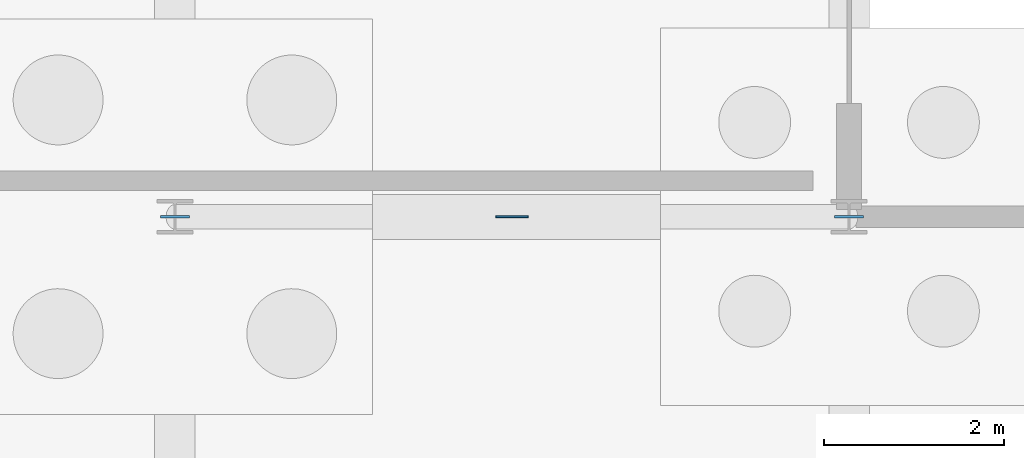
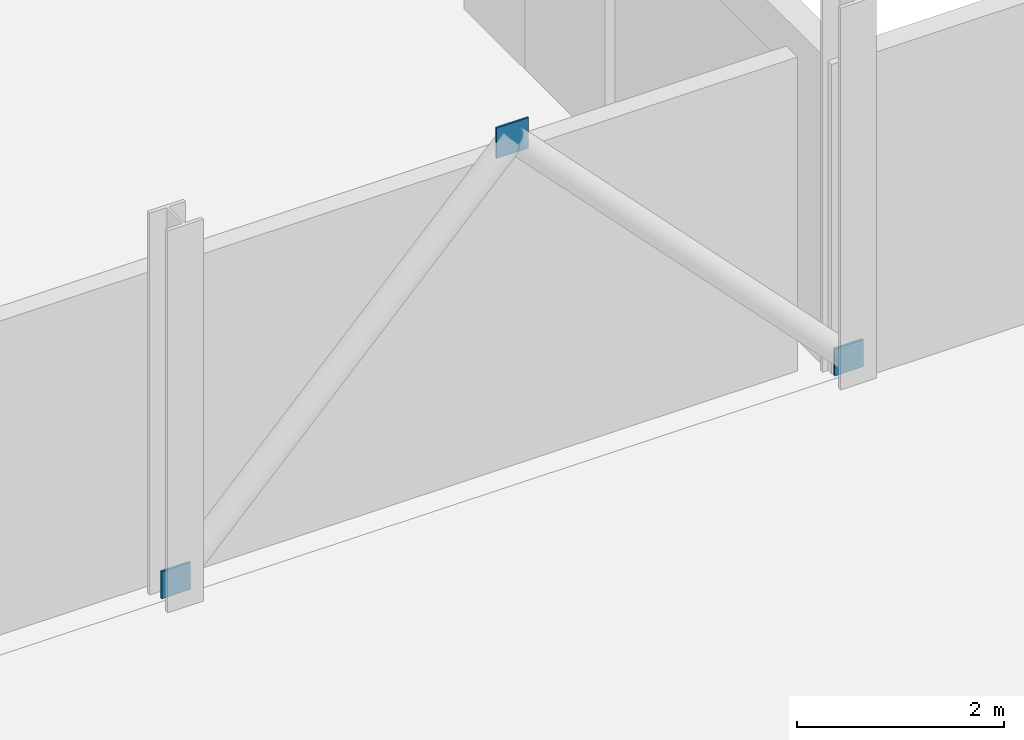
# One storey, part 104 of 136: 3 plates.
"""IFC4 building model written with IfcOpenShell, lengths in metres."""

from ifc_helpers import new_model, si_unit, direction, frame, origin, origin_2d, place, context, subcontext, project, spatial, rectangle, extrude, material, layer, layer_set, type_object, element, save


model = new_model("IFC4")

# Units and contexts
model_context = context("Model", 3, precision=1e-05, world=origin(), true_north=direction((0.0, 1.0)))
body_context = subcontext(model_context, "Body", "Model", "MODEL_VIEW")
ifc_project = project(units=[si_unit("LENGTHUNIT", "METRE"), si_unit("AREAUNIT", "SQUARE_METRE"), si_unit("VOLUMEUNIT", "CUBIC_METRE"), si_unit("PLANEANGLEUNIT", "RADIAN"), si_unit("MASSUNIT", "GRAM", prefix="KILO")], contexts=[model_context])

# Site, building, storey
site_placement = place(None, origin())
site = spatial("IfcSite", under=ifc_project, at=site_placement, CompositionType="ELEMENT")
building_placement = place(site_placement, origin())
building = spatial("IfcBuilding", under=site, at=building_placement, Name="Solvenia Promenade Tram Depot", CompositionType="ELEMENT")
storey_placement = place(building_placement, origin())
storey = spatial("IfcBuildingStorey", under=building, at=storey_placement, Name="L00", CompositionType="ELEMENT", Elevation=0.0)

# Plates
ifc_material = material(Name="Structural steel ASTM A572 Gr. 50", Category="steel")
ifc_layer_1 = layer(ifc_material, 0.02392578125, Name="Structural steel ASTM A572 Gr. 50", Category="steel")
ifc_layer_set_1 = layer_set([ifc_layer_1], Name="Structural steel ASTM A572 Gr. 50")
plate_type_1 = type_object("IfcPlateType", Name="EndCap-CP1", PredefinedType="SHEET", material=ifc_layer_set_1)
for number, where, z_axis, x_axis, name in (
    (1, (142.5, 66.0, 0.0400390625), (0.0, 0.0, 1.0), (1.0, 0.0, 0.0), "Chevron Left Foot Gusset Plate 02"),
    (2, (150.0, 66.0, 0.0400390625), (0.0, 0.0, 1.0), (1.0, 0.0, 0.0), "Chevron Right Foot Gusset Plate 02"),
):
    element("IfcPlate", number, at=place(storey_placement, frame(where, z_axis=z_axis, x_axis=x_axis)), inside=storey, type_object=plate_type_1, Name=name, PredefinedType="SHEET", context=body_context, shape_type="SweptSolid", body=[
        extrude(rectangle(XDim=0.320068359375, YDim=0.02392578125, at=origin_2d()), origin(), (0.0, 0.0, 1.0), 0.320068359375),
    ])
ifc_layer_2 = layer(ifc_material, 0.02099609375, Name="Structural steel ASTM A572 Gr. 50", Category="steel")
ifc_layer_set_2 = layer_set([ifc_layer_2], Name="Structural steel ASTM A572 Gr. 50")
plate_type_2 = type_object("IfcPlateType", Name="EndCap-CP3", PredefinedType="SHEET", material=ifc_layer_set_2)
plate_placement = place(storey_placement, frame((146.25, 66.0, 3.919921875), z_axis=(0.0, 0.0, 1.0), x_axis=(1.0, 0.0, 0.0)))
element("IfcPlate", 3, at=plate_placement, inside=storey, type_object=plate_type_2, Name="Chevron Gusset Cap Plate 02", PredefinedType="SHEET", context=body_context, shape_type="SweptSolid", body=[
    extrude(rectangle(XDim=0.360107421875, YDim=0.02001953125, at=origin_2d()), origin(), (0.0, 0.0, 1.0), 0.360107421875),
])

save(model, "model.ifc")
